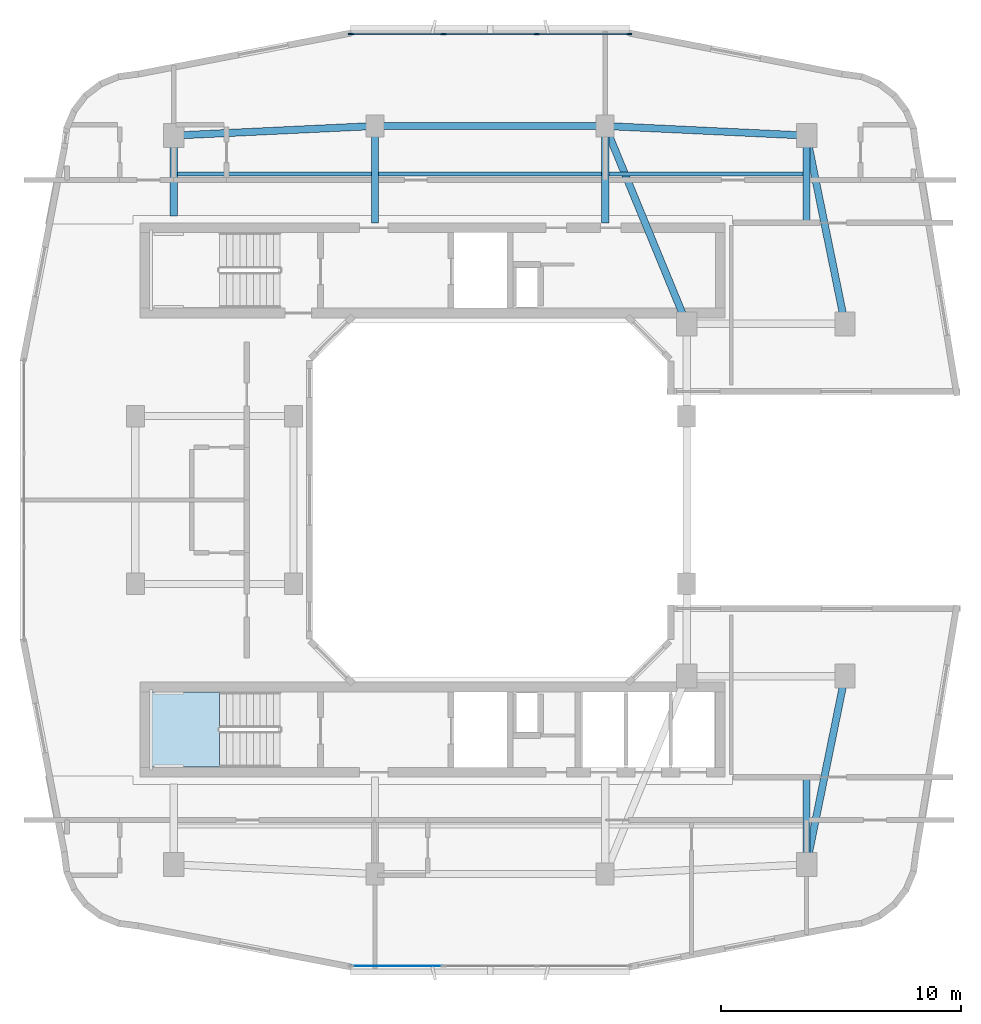
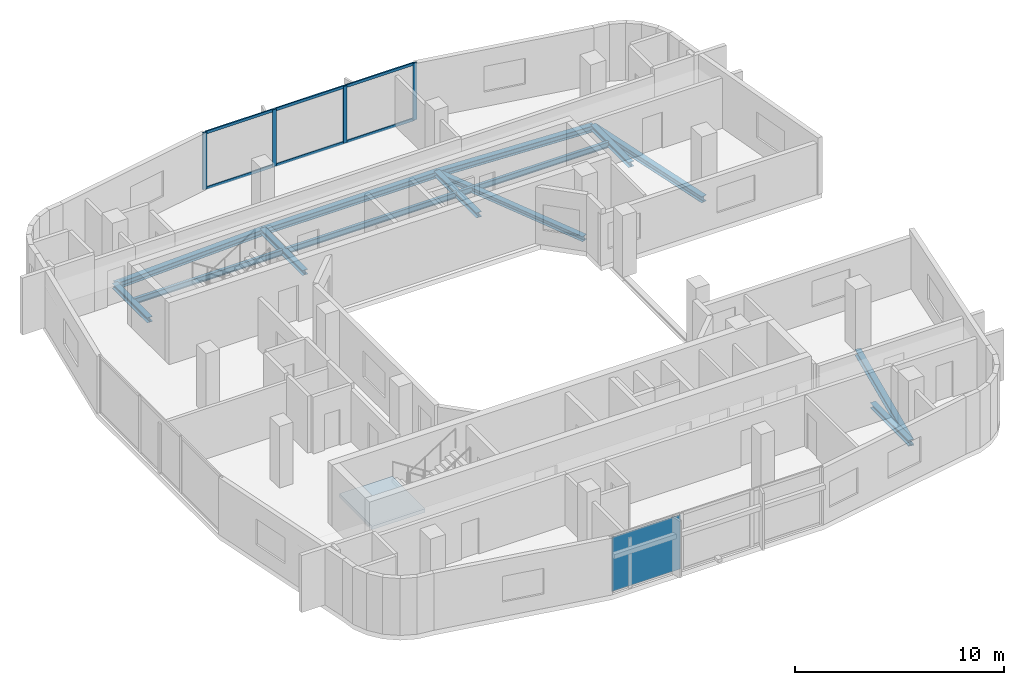
# One storey, part 3 of 12: 14 beams, 10 members, 1 plate, 1 slab, 3 elements without a shape of their own.
"""IFC4 building model written with IfcOpenShell, lengths in metres."""

from ifc_helpers import new_model, si_unit, derived_unit, direction, frame, origin, origin_2d, place, context, subcontext, project, spatial, polyline, rectangle, i_section, outline, extrude, material, layer, layer_set, material_profile, profile_set, type_object, element, aggregate, save


model = new_model("IFC4")

# Units and contexts
model_context = context("Model", 3, precision=1e-05, world=origin(), true_north=direction((0.0, 1.0)))
body_context = subcontext(model_context, "Body", "Model", "MODEL_VIEW")
ifc_project = project(units=[si_unit("LENGTHUNIT", "METRE"), si_unit("AREAUNIT", "SQUARE_METRE"), si_unit("VOLUMEUNIT", "CUBIC_METRE"), si_unit("PLANEANGLEUNIT", "RADIAN"), si_unit("MASSUNIT", "GRAM", prefix="KILO"), derived_unit("THERMALTRANSMITTANCEUNIT", [(si_unit("POWERUNIT", "WATT"), 1), (si_unit("LENGTHUNIT", "METRE"), -2), (si_unit("THERMODYNAMICTEMPERATUREUNIT", "KELVIN"), -1)])], contexts=[model_context])

# Site, building, storey
site_placement = place(None, origin())
site = spatial("IfcSite", under=ifc_project, at=site_placement, CompositionType="ELEMENT")
building_placement = place(site_placement, origin())
building = spatial("IfcBuilding", under=site, at=building_placement, Name="Kivonza Crest Hotel", CompositionType="ELEMENT")
storey_placement = place(building_placement, frame((0.0, 0.0, 191.89990234375)))
storey = spatial("IfcBuildingStorey", under=building, at=storey_placement, Name="L52", CompositionType="ELEMENT", Elevation=191.89990234375)

# Beams
ifc_material_1 = material(Name="Steel S355", Category="steel")
ifc_material_profile_1 = material_profile(ifc_material_1, i_section(OverallWidth=0.300048828125, OverallDepth=0.300048828125, WebThickness=0.010986328125, FlangeThickness=0.01904296875, FilletRadius=0.027099609375, at=origin_2d()), Name="HEB 300")
ifc_profile_set_1 = profile_set([ifc_material_profile_1], Name="Steel S355")
beam_type_1 = type_object("IfcBeamType", Name="BM-HEB300", PredefinedType="BEAM", material=ifc_profile_set_1)
beam_1_placement = place(storey_placement, frame((25.800048828125, 40.60009765625, -0.429931640625), z_axis=(0.381022260404, -0.924565864109, 0.0), x_axis=(0.924565864109, 0.381022260404, 0.0)))
element("IfcBeam", 1, at=beam_1_placement, inside=storey, type_object=beam_type_1, Name="Tower T1 L52 primary girder N1-TNE", PredefinedType="BEAM", context=body_context, shape_type="SweptSolid", body=[
    extrude(i_section(OverallWidth=0.300048828125, OverallDepth=0.300048828125, WebThickness=0.010986328125, FlangeThickness=0.01904296875, FilletRadius=0.027099609375, at=origin_2d()), origin(), (0.0, 0.0, 1.0), 8.923095703125),
])
beam_2_placement = place(storey_placement, frame((34.199951171875, 9.800048828125, -0.429931640625), z_axis=(0.0, 1.0, 0.0), x_axis=(-1.0, 0.0, 0.0)))
element("IfcBeam", 2, at=beam_2_placement, inside=storey, type_object=beam_type_1, Name="Tower T1 L52 radial core girder RSE", PredefinedType="BEAM", context=body_context, shape_type="SweptSolid", body=[
    extrude(i_section(OverallWidth=0.300048828125, OverallDepth=0.300048828125, WebThickness=0.010986328125, FlangeThickness=0.01904296875, FilletRadius=0.027099609375, at=origin_2d()), origin(), (0.0, 0.0, 1.0), 3.64990234375),
])
beam_3_placement = place(storey_placement, frame((7.800048828125, 40.199951171875, -0.429931640625), z_axis=(0.0, -1.0, 0.0), x_axis=(1.0, 0.0, 0.0)))
element("IfcBeam", 3, at=beam_3_placement, inside=storey, type_object=beam_type_1, Name="Tower T1 L52 radial core girder RNW", PredefinedType="BEAM", context=body_context, shape_type="SweptSolid", body=[
    extrude(i_section(OverallWidth=0.300048828125, OverallDepth=0.300048828125, WebThickness=0.010986328125, FlangeThickness=0.01904296875, FilletRadius=0.027099609375, at=origin_2d()), origin(), (0.0, 0.0, 1.0), 3.349853515625),
])
for number, where, z_axis, x_axis, name in (
    (4, (16.199951171875, 40.60009765625, -0.429931640625), (0.0, -1.0, 0.0), (1.0, 0.0, 0.0), "Tower T1 L52 radial core girder RN1"),
    (5, (25.800048828125, 40.60009765625, -0.429931640625), (0.0, -1.0, 0.0), (1.0, 0.0, 0.0), "Tower T1 L52 radial core girder RN2"),
):
    element("IfcBeam", number, at=place(storey_placement, frame(where, z_axis=z_axis, x_axis=x_axis)), inside=storey, type_object=beam_type_1, Name=name, PredefinedType="BEAM", context=body_context, shape_type="SweptSolid", body=[
        extrude(i_section(OverallWidth=0.300048828125, OverallDepth=0.300048828125, WebThickness=0.010986328125, FlangeThickness=0.01904296875, FilletRadius=0.027099609375, at=origin_2d()), origin(), (0.0, 0.0, 1.0), 4.050048828125),
    ])
beam_4_placement = place(storey_placement, frame((34.199951171875, 40.199951171875, -0.429931640625), z_axis=(0.0, -1.0, 0.0), x_axis=(1.0, 0.0, 0.0)))
element("IfcBeam", 6, at=beam_4_placement, inside=storey, type_object=beam_type_1, Name="Tower T1 L52 radial core girder RNE", PredefinedType="BEAM", context=body_context, shape_type="SweptSolid", body=[
    extrude(i_section(OverallWidth=0.300048828125, OverallDepth=0.300048828125, WebThickness=0.010986328125, FlangeThickness=0.01904296875, FilletRadius=0.027099609375, at=origin_2d()), origin(), (0.0, 0.0, 1.0), 3.64990234375),
])
ifc_material_profile_2 = material_profile(ifc_material_1, i_section(OverallWidth=0.300048828125, OverallDepth=0.360107421875, WebThickness=0.012451171875, FlangeThickness=0.0224609375, FilletRadius=0.027099609375, at=origin_2d()), Name="HEB 360")
ifc_profile_set_2 = profile_set([ifc_material_profile_2], Name="Steel S355")
beam_type_2 = type_object("IfcBeamType", Name="BM-HEB360", PredefinedType="SPANDREL", material=ifc_profile_set_2)
for number, where, z_axis, x_axis, name in (
    (7, (34.199951171875, 9.800048828125, -0.4599609375), (0.199730733965, 0.979850822273, 0.0), (-0.979850822273, 0.199730733965, 0.0), "Tower T1 L52 perimeter spandrel SE-PSE"),
    (8, (35.800048828125, 32.35009765625, -0.4599609375), (-0.199730733965, 0.979850822273, 0.0), (-0.979850822273, -0.199730733965, 0.0), "Tower T1 L52 perimeter spandrel PNE-NE"),
):
    element("IfcBeam", number, at=place(storey_placement, frame(where, z_axis=z_axis, x_axis=x_axis)), inside=storey, type_object=beam_type_2, Name=name, PredefinedType="SPANDREL", context=body_context, shape_type="SweptSolid", body=[
        extrude(i_section(OverallWidth=0.300048828125, OverallDepth=0.360107421875, WebThickness=0.012451171875, FlangeThickness=0.0224609375, FilletRadius=0.027099609375, at=origin_2d()), origin(), (0.0, 0.0, 1.0), 8.01123046875),
    ])
beam_5_placement = place(storey_placement, frame((34.199951171875, 40.199951171875, -0.4599609375), z_axis=(-0.998867283688, 0.047583080799, 0.0), x_axis=(-0.047583080799, -0.998867283688, 0.0)))
element("IfcBeam", 9, at=beam_5_placement, inside=storey, type_object=beam_type_2, Name="Tower T1 L52 perimeter spandrel NE-N2", PredefinedType="SPANDREL", context=body_context, shape_type="SweptSolid", body=[
    extrude(i_section(OverallWidth=0.300048828125, OverallDepth=0.360107421875, WebThickness=0.012451171875, FlangeThickness=0.0224609375, FilletRadius=0.027099609375, at=origin_2d()), origin(), (0.0, 0.0, 1.0), 8.409423828125),
])
beam_6_placement = place(storey_placement, frame((25.800048828125, 40.60009765625, -0.4599609375), z_axis=(-1.0, 0.0, 0.0), x_axis=(0.0, -1.0, 0.0)))
element("IfcBeam", 10, at=beam_6_placement, inside=storey, type_object=beam_type_2, Name="Tower T1 L52 perimeter spandrel N2-N1", PredefinedType="SPANDREL", context=body_context, shape_type="SweptSolid", body=[
    extrude(i_section(OverallWidth=0.300048828125, OverallDepth=0.360107421875, WebThickness=0.012451171875, FlangeThickness=0.0224609375, FilletRadius=0.027099609375, at=origin_2d()), origin(), (0.0, 0.0, 1.0), 9.60009765625),
])
beam_7_placement = place(storey_placement, frame((16.199951171875, 40.60009765625, -0.4599609375), z_axis=(-0.998867283688, -0.047583080799, 0.0), x_axis=(0.047583080799, -0.998867283688, 0.0)))
element("IfcBeam", 11, at=beam_7_placement, inside=storey, type_object=beam_type_2, Name="Tower T1 L52 perimeter spandrel N1-NW", PredefinedType="SPANDREL", context=body_context, shape_type="SweptSolid", body=[
    extrude(i_section(OverallWidth=0.300048828125, OverallDepth=0.360107421875, WebThickness=0.012451171875, FlangeThickness=0.0224609375, FilletRadius=0.027099609375, at=origin_2d()), origin(), (0.0, 0.0, 1.0), 8.409423828125),
])
ifc_material_profile_3 = material_profile(ifc_material_1, i_section(OverallWidth=0.159912109375, OverallDepth=0.330078125, WebThickness=0.007568359375, FlangeThickness=0.011474609375, FilletRadius=0.01806640625, at=origin_2d()), Name="IPE 330")
ifc_profile_set_3 = profile_set([ifc_material_profile_3], Name="Steel S355")
beam_type_3 = type_object("IfcBeamType", Name="BM-IPE330", PredefinedType="JOIST", material=ifc_profile_set_3)
beam_8_placement = place(storey_placement, frame((7.8798828125, 38.60009765625, -0.44482421875), z_axis=(1.0, 0.0, 0.0), x_axis=(0.0, 1.0, 0.0)))
element("IfcBeam", 12, at=beam_8_placement, inside=storey, type_object=beam_type_3, Name="Tower T1 L52 North-West floor joist", PredefinedType="JOIST", context=body_context, shape_type="SweptSolid", body=[
    extrude(i_section(OverallWidth=0.159912109375, OverallDepth=0.330078125, WebThickness=0.007568359375, FlangeThickness=0.011474609375, FilletRadius=0.01806640625, at=origin_2d()), origin(), (0.0, 0.0, 1.0), 8.240234375),
])
beam_9_placement = place(storey_placement, frame((16.280029296875, 38.60009765625, -0.44482421875), z_axis=(1.0, 0.0, 0.0), x_axis=(0.0, 1.0, 0.0)))
element("IfcBeam", 13, at=beam_9_placement, inside=storey, type_object=beam_type_3, Name="Tower T1 L52 North-Mid floor joist", PredefinedType="JOIST", context=body_context, shape_type="SweptSolid", body=[
    extrude(i_section(OverallWidth=0.159912109375, OverallDepth=0.330078125, WebThickness=0.007568359375, FlangeThickness=0.011474609375, FilletRadius=0.01806640625, at=origin_2d()), origin(), (0.0, 0.0, 1.0), 9.43994140625),
])
beam_10_placement = place(storey_placement, frame((25.8798828125, 38.60009765625, -0.44482421875), z_axis=(1.0, 0.0, 0.0), x_axis=(0.0, 1.0, 0.0)))
element("IfcBeam", 14, at=beam_10_placement, inside=storey, type_object=beam_type_3, Name="Tower T1 L52 North-East floor joist", PredefinedType="JOIST", context=body_context, shape_type="SweptSolid", body=[
    extrude(i_section(OverallWidth=0.159912109375, OverallDepth=0.330078125, WebThickness=0.007568359375, FlangeThickness=0.011474609375, FilletRadius=0.01806640625, at=origin_2d()), origin(), (0.0, 0.0, 1.0), 8.240234375),
])

# Curtain wall, members
ifc_material_2 = material(Name="Anodised bronze aluminium and low-E double glazing", Category="aluminium")
ifc_layer_1 = layer(ifc_material_2, 0.179931640625)
ifc_layer_set_1 = layer_set([ifc_layer_1], Name="Anodised bronze aluminium and low-E double glazing")
curtain_wall_type = type_object("IfcCurtainWallType", Name="CW-SYS-3", PredefinedType="NOTDEFINED", material=ifc_layer_set_1)
curtain_wall_1_placement = place(storey_placement, origin())
curtain_wall_1 = element("IfcCurtainWall", 15, at=curtain_wall_1_placement, inside=storey, type_object=curtain_wall_type, Name="L52 unitised curtain wall CW-T1-L52-36", PredefinedType="NOTDEFINED")
ifc_material_3 = material(Name="Anodised bronze aluminium", Category="aluminium")
ifc_material_profile_4 = material_profile(ifc_material_3, rectangle(XDim=0.074951171875, YDim=0.219970703125, at=origin_2d()), Name="CW-M 75x220")
ifc_profile_set_4 = profile_set([ifc_material_profile_4], Name="Anodised bronze aluminium")
member_type_1 = type_object("IfcMemberType", Name="CW-MUL-75x220", PredefinedType="MULLION", material=ifc_profile_set_4)
member_1_placement = place(storey_placement, frame((26.802490234375, 44.43994140625, 0.0), z_axis=(0.0, 0.0, 1.0), x_axis=(0.0, -1.0, 0.0)))
member_1 = element("IfcMember", 16, at=member_1_placement, type_object=member_type_1, Name="CW-3 mullion 1", PredefinedType="MULLION", context=body_context, shape_type="SweptSolid", body=[
    extrude(rectangle(XDim=0.074951171875, YDim=0.219970703125, at=origin_2d()), origin(), (0.0, 0.0, 1.0), 3.320068359375),
])
member_2_placement = place(storey_placement, frame((22.94677734375, 44.43994140625, 0.0), z_axis=(0.0, 0.0, 1.0), x_axis=(0.0, -1.0, 0.0)))
member_2 = element("IfcMember", 17, at=member_2_placement, type_object=member_type_1, Name="CW-3 mullion 2", PredefinedType="MULLION", context=body_context, shape_type="SweptSolid", body=[
    extrude(rectangle(XDim=0.074951171875, YDim=0.219970703125, at=origin_2d()), origin(), (0.0, 0.0, 1.0), 3.320068359375),
])
member_3_placement = place(storey_placement, frame((19.05322265625, 44.43994140625, 0.0), z_axis=(0.0, 0.0, 1.0), x_axis=(0.0, -1.0, 0.0)))
member_3 = element("IfcMember", 18, at=member_3_placement, type_object=member_type_1, Name="CW-3 mullion 3", PredefinedType="MULLION", context=body_context, shape_type="SweptSolid", body=[
    extrude(rectangle(XDim=0.074951171875, YDim=0.219970703125, at=origin_2d()), origin(), (0.0, 0.0, 1.0), 3.320068359375),
])
member_4_placement = place(storey_placement, frame((15.197509765625, 44.43994140625, 0.0), z_axis=(0.0, 0.0, 1.0), x_axis=(0.0, -1.0, 0.0)))
member_4 = element("IfcMember", 19, at=member_4_placement, type_object=member_type_1, Name="CW-3 mullion 4", PredefinedType="MULLION", context=body_context, shape_type="SweptSolid", body=[
    extrude(rectangle(XDim=0.074951171875, YDim=0.219970703125, at=origin_2d()), origin(), (0.0, 0.0, 1.0), 3.320068359375),
])
ifc_material_profile_5 = material_profile(ifc_material_3, rectangle(XDim=0.074951171875, YDim=0.159912109375, at=origin_2d()), Name="CW-T 75x160")
ifc_profile_set_5 = profile_set([ifc_material_profile_5], Name="Anodised bronze aluminium")
member_type_2 = type_object("IfcMemberType", Name="CW-TRN-75x160", PredefinedType="USERDEFINED", material=ifc_profile_set_5)
member_5_placement = place(storey_placement, frame((26.764892578125, 44.43994140625, 0.03759765625), z_axis=(-1.0, 0.0, 0.0), x_axis=(0.0, -1.0, 0.0)))
member_5 = element("IfcMember", 20, at=member_5_placement, type_object=member_type_2, Name="CW-3 transom 1.1", ObjectType="TRANSOM", PredefinedType="USERDEFINED", context=body_context, shape_type="SweptSolid", body=[
    extrude(rectangle(XDim=0.074951171875, YDim=0.159912109375, at=origin_2d()), origin(), (0.0, 0.0, 1.0), 3.78076171875),
])
member_6_placement = place(storey_placement, frame((26.764892578125, 44.43994140625, 3.28271484375), z_axis=(-1.0, 0.0, 0.0), x_axis=(0.0, -1.0, 0.0)))
member_6 = element("IfcMember", 21, at=member_6_placement, type_object=member_type_2, Name="CW-3 transom 1.2", ObjectType="TRANSOM", PredefinedType="USERDEFINED", context=body_context, shape_type="SweptSolid", body=[
    extrude(rectangle(XDim=0.074951171875, YDim=0.159912109375, at=origin_2d()), origin(), (0.0, 0.0, 1.0), 3.78076171875),
])
member_7_placement = place(storey_placement, frame((22.9091796875, 44.43994140625, 0.03759765625), z_axis=(-1.0, 0.0, 0.0), x_axis=(0.0, -1.0, 0.0)))
member_7 = element("IfcMember", 22, at=member_7_placement, type_object=member_type_2, Name="CW-3 transom 2.1", ObjectType="TRANSOM", PredefinedType="USERDEFINED", context=body_context, shape_type="SweptSolid", body=[
    extrude(rectangle(XDim=0.074951171875, YDim=0.159912109375, at=origin_2d()), origin(), (0.0, 0.0, 1.0), 3.818359375),
])
member_8_placement = place(storey_placement, frame((22.9091796875, 44.43994140625, 3.28271484375), z_axis=(-1.0, 0.0, 0.0), x_axis=(0.0, -1.0, 0.0)))
member_8 = element("IfcMember", 23, at=member_8_placement, type_object=member_type_2, Name="CW-3 transom 2.2", ObjectType="TRANSOM", PredefinedType="USERDEFINED", context=body_context, shape_type="SweptSolid", body=[
    extrude(rectangle(XDim=0.074951171875, YDim=0.159912109375, at=origin_2d()), origin(), (0.0, 0.0, 1.0), 3.818359375),
])
member_9_placement = place(storey_placement, frame((19.015869140625, 44.43994140625, 0.03759765625), z_axis=(-1.0, 0.0, 0.0), x_axis=(0.0, -1.0, 0.0)))
member_9 = element("IfcMember", 24, at=member_9_placement, type_object=member_type_2, Name="CW-3 transom 3.1", ObjectType="TRANSOM", PredefinedType="USERDEFINED", context=body_context, shape_type="SweptSolid", body=[
    extrude(rectangle(XDim=0.074951171875, YDim=0.159912109375, at=origin_2d()), origin(), (0.0, 0.0, 1.0), 3.78076171875),
])
member_10_placement = place(storey_placement, frame((19.015869140625, 44.43994140625, 3.28271484375), z_axis=(-1.0, 0.0, 0.0), x_axis=(0.0, -1.0, 0.0)))
member_10 = element("IfcMember", 25, at=member_10_placement, type_object=member_type_2, Name="CW-3 transom 3.2", ObjectType="TRANSOM", PredefinedType="USERDEFINED", context=body_context, shape_type="SweptSolid", body=[
    extrude(rectangle(XDim=0.074951171875, YDim=0.159912109375, at=origin_2d()), origin(), (0.0, 0.0, 1.0), 3.78076171875),
])
aggregate(curtain_wall_1, [member_1, member_2, member_3, member_4, member_5, member_6, member_7, member_8, member_9, member_10])

# Curtain wall, plate
curtain_wall_2_placement = place(storey_placement, origin())
curtain_wall_2 = element("IfcCurtainWall", 26, at=curtain_wall_2_placement, inside=storey, type_object=curtain_wall_type, Name="L52 unitised curtain wall CW-T1-L52-08", PredefinedType="NOTDEFINED")
ifc_material_4 = material(Name="Acoustic triple-laminated low-E glazing", Category="glass")
ifc_layer_2 = layer(ifc_material_4, 0.035888671875)
ifc_layer_set_2 = layer_set([ifc_layer_2], Name="Acoustic triple-laminated low-E glazing")
plate_type = type_object("IfcPlateType", Name="CW-PNL-36", PredefinedType="CURTAIN_PANEL", material=ifc_layer_set_2)
plate_placement = place(storey_placement, frame((17.12548828125, 5.56005859375, 0.0751953125), z_axis=(0.0, 0.0, 1.0), x_axis=(1.0, 0.0, 0.0)))
plate = element("IfcPlate", 27, at=plate_placement, type_object=plate_type, Name="CW-3 panel 1.1", PredefinedType="CURTAIN_PANEL", context=body_context, shape_type="SweptSolid", body=[
    extrude(rectangle(XDim=3.78076171875, YDim=0.035888671875, at=origin_2d()), origin(), (0.0, 0.0, 1.0), 3.169921875),
])
aggregate(curtain_wall_2, [plate])

# Stair, slab
ifc_material_5 = material(Name="Concrete C40/50", Category="concrete")
stair_type = type_object("IfcStairType", Name="ST-DL-20R", PredefinedType="HALF_TURN_STAIR", material=ifc_material_5)
stair_placement = place(storey_placement, origin())
stair = element("IfcStair", 28, at=stair_placement, inside=storey, type_object=stair_type, Name="L52 Protected Exit Stair ST-T1-S", PredefinedType="HALF_TURN_STAIR")
ifc_layer_3 = layer(ifc_material_5, 0.199951171875)
ifc_layer_set_3 = layer_set([ifc_layer_3], Name="Concrete C40/50")
slab_type = type_object("IfcSlabType", Name="SL-LAND-200", PredefinedType="LANDING", material=ifc_layer_set_3)
slab_placement = place(storey_placement, frame((0.0, 0.0, 1.60009765625)))
slab = element("IfcSlab", 29, at=slab_placement, type_object=slab_type, Name="ST-T1-S landing 1", PredefinedType="LANDING", context=body_context, shape_type="SweptSolid", body=[
    extrude(outline(polyline([(9.719970703125, 17.0), (6.800048828125, 17.0), (6.800048828125, 13.860107421875), (9.719970703125, 13.860107421875), (9.719970703125, 17.0)])), origin(), (0.0, 0.0, 1.0), 0.199951171875),
])
aggregate(stair, [slab])

save(model, "model.ifc")
